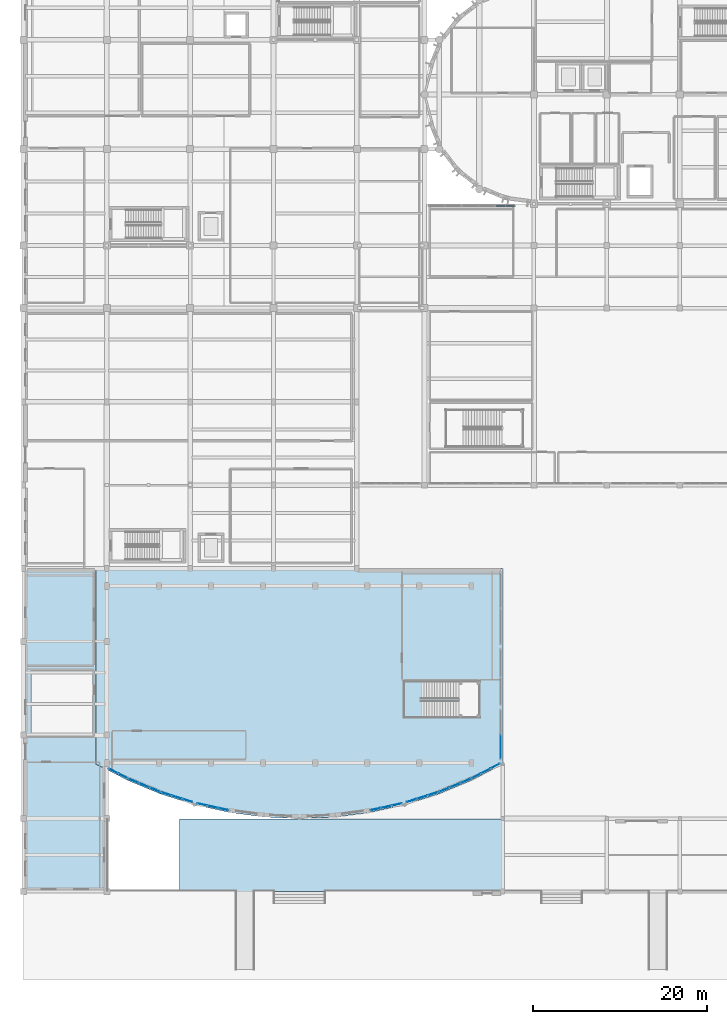
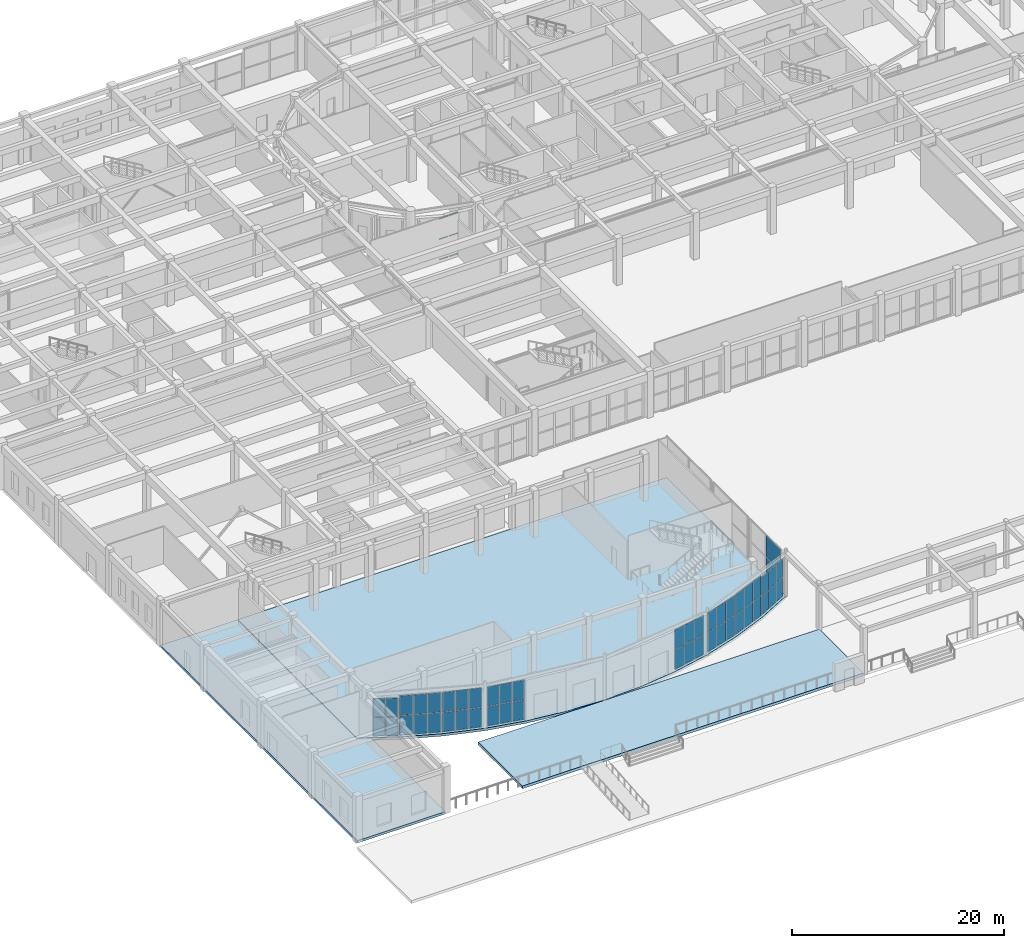
# One storey, part 58 of 98: 48 plates, 6 members, 3 slabs, 10 elements without a shape of their own.
"""IFC4 building model written with IfcOpenShell, lengths in metres."""

from ifc_helpers import new_model, si_unit, direction, frame, origin, origin_2d, place, context, subcontext, project, spatial, polyline, rectangle, hollow_rectangle, outline, extrude, material, layer, layer_set, material_profile, profile_set, type_object, element, aggregate, save


model = new_model("IFC4")

# Units and contexts
model_context = context("Model", 3, precision=1e-05, world=origin(), true_north=direction((0.0, 1.0)))
body_context = subcontext(model_context, "Body", "Model", "MODEL_VIEW")
ifc_project = project(units=[si_unit("LENGTHUNIT", "METRE"), si_unit("AREAUNIT", "SQUARE_METRE"), si_unit("VOLUMEUNIT", "CUBIC_METRE"), si_unit("PLANEANGLEUNIT", "RADIAN"), si_unit("MASSUNIT", "GRAM", prefix="KILO")], contexts=[model_context])

# Site, building, storey
site_placement = place(None, origin())
site = spatial("IfcSite", under=ifc_project, at=site_placement, CompositionType="ELEMENT")
building_placement = place(site_placement, origin())
building = spatial("IfcBuilding", under=site, at=building_placement, Name="Tarnavel Promenade Courthouse", CompositionType="ELEMENT")
storey_placement = place(building_placement, origin())
storey = spatial("IfcBuildingStorey", under=building, at=storey_placement, Name="L01", CompositionType="ELEMENT", Elevation=0.0)

# Curtain wall, members
ifc_material_1 = material(Name="Thermally Broken Anodised Aluminium Curtain Wall System", Category="aluminium")
ifc_layer_1 = layer(ifc_material_1, 0.2099609375)
ifc_layer_set_1 = layer_set([ifc_layer_1], Name="Thermally Broken Anodised Aluminium Curtain Wall System")
curtain_wall_type_1 = type_object("IfcCurtainWallType", Name="Thermally Broken Aluminium Triple-Glazed Curtain Wall CW-WG-N", PredefinedType="NOTDEFINED", material=ifc_layer_set_1)
curtain_wall_1_placement = place(storey_placement, origin())
curtain_wall_1 = element("IfcCurtainWall", 1, at=curtain_wall_1_placement, inside=storey, type_object=curtain_wall_type_1, Name="L01 Winter-Garden North Curtain Wall 104", PredefinedType="NOTDEFINED")
ifc_material_2 = material(Name="Thermally Broken Anodised Aluminium Frame", Category="aluminium")
ifc_material_profile = material_profile(ifc_material_2, hollow_rectangle(XDim=0.070068359375, YDim=0.139892578125, WallThickness=0.0048828125, InnerFilletRadius=0.0048828125, OuterFilletRadius=0.010009765625, at=origin_2d()), Name="CWT 140x70x5")
ifc_profile_set = profile_set([ifc_material_profile], Name="Thermally Broken Anodised Aluminium Frame")
member_type = type_object("IfcMemberType", Name="Thermally Broken Anodised Aluminium CWT-125 (CWT 140x70x5)", PredefinedType="USERDEFINED", material=ifc_profile_set)
member_1_placement = place(storey_placement, frame((54.47998046875, 78.949951171875, 0.034912109375), z_axis=(1.0, 0.0, 0.0), x_axis=(0.0, 1.0, 0.0)))
member_1 = element("IfcMember", 2, at=member_1_placement, type_object=member_type, Name="CW-03 transom 1.1", ObjectType="TRANSOM", PredefinedType="USERDEFINED", context=body_context, shape_type="SweptSolid", body=[
    extrude(hollow_rectangle(XDim=0.070068359375, YDim=0.139892578125, WallThickness=0.0048828125, InnerFilletRadius=0.0048828125, OuterFilletRadius=0.010009765625, at=origin_2d()), origin(), (0.0, 0.0, 1.0), 0.97998046875),
])
member_2_placement = place(storey_placement, frame((54.47998046875, 78.949951171875, 2.385009765625), z_axis=(1.0, 0.0, 0.0), x_axis=(0.0, 1.0, 0.0)))
member_2 = element("IfcMember", 3, at=member_2_placement, type_object=member_type, Name="CW-03 transom 1.2", ObjectType="TRANSOM", PredefinedType="USERDEFINED", context=body_context, shape_type="SweptSolid", body=[
    extrude(hollow_rectangle(XDim=0.070068359375, YDim=0.139892578125, WallThickness=0.0048828125, InnerFilletRadius=0.0048828125, OuterFilletRadius=0.010009765625, at=origin_2d()), origin(), (0.0, 0.0, 1.0), 0.97998046875),
])
member_3_placement = place(storey_placement, frame((54.47998046875, 78.949951171875, 4.735107421875), z_axis=(1.0, 0.0, 0.0), x_axis=(0.0, 1.0, 0.0)))
member_3 = element("IfcMember", 4, at=member_3_placement, type_object=member_type, Name="CW-03 transom 1.3", ObjectType="TRANSOM", PredefinedType="USERDEFINED", context=body_context, shape_type="SweptSolid", body=[
    extrude(hollow_rectangle(XDim=0.070068359375, YDim=0.139892578125, WallThickness=0.0048828125, InnerFilletRadius=0.0048828125, OuterFilletRadius=0.010009765625, at=origin_2d()), origin(), (0.0, 0.0, 1.0), 0.97998046875),
])
member_4_placement = place(storey_placement, frame((55.5400390625, 78.949951171875, 0.034912109375), z_axis=(1.0, 0.0, 0.0), x_axis=(0.0, 1.0, 0.0)))
member_4 = element("IfcMember", 5, at=member_4_placement, type_object=member_type, Name="CW-03 transom 2.1", ObjectType="TRANSOM", PredefinedType="USERDEFINED", context=body_context, shape_type="SweptSolid", body=[
    extrude(hollow_rectangle(XDim=0.070068359375, YDim=0.139892578125, WallThickness=0.0048828125, InnerFilletRadius=0.0048828125, OuterFilletRadius=0.010009765625, at=origin_2d()), origin(), (0.0, 0.0, 1.0), 0.97998046875),
])
member_5_placement = place(storey_placement, frame((55.5400390625, 78.949951171875, 2.385009765625), z_axis=(1.0, 0.0, 0.0), x_axis=(0.0, 1.0, 0.0)))
member_5 = element("IfcMember", 6, at=member_5_placement, type_object=member_type, Name="CW-03 transom 2.2", ObjectType="TRANSOM", PredefinedType="USERDEFINED", context=body_context, shape_type="SweptSolid", body=[
    extrude(hollow_rectangle(XDim=0.070068359375, YDim=0.139892578125, WallThickness=0.0048828125, InnerFilletRadius=0.0048828125, OuterFilletRadius=0.010009765625, at=origin_2d()), origin(), (0.0, 0.0, 1.0), 0.97998046875),
])
member_6_placement = place(storey_placement, frame((55.5400390625, 78.949951171875, 4.735107421875), z_axis=(1.0, 0.0, 0.0), x_axis=(0.0, 1.0, 0.0)))
member_6 = element("IfcMember", 7, at=member_6_placement, type_object=member_type, Name="CW-03 transom 2.3", ObjectType="TRANSOM", PredefinedType="USERDEFINED", context=body_context, shape_type="SweptSolid", body=[
    extrude(hollow_rectangle(XDim=0.070068359375, YDim=0.139892578125, WallThickness=0.0048828125, InnerFilletRadius=0.0048828125, OuterFilletRadius=0.010009765625, at=origin_2d()), origin(), (0.0, 0.0, 1.0), 0.97998046875),
])
aggregate(curtain_wall_1, [member_1, member_2, member_3, member_4, member_5, member_6])

# Slabs
ifc_material_3 = material(Name="Concrete C35/45", Category="concrete")
ifc_layer_2 = layer(ifc_material_3, 0.320068359375)
ifc_layer_set_2 = layer_set([ifc_layer_2], Name="Concrete C35/45")
slab_type_1 = type_object("IfcSlabType", Name="Concrete C35/45 SLB-COL-320 (320 mm)", PredefinedType="FLOOR", material=ifc_layer_set_2)
slab_1_placement = place(storey_placement, frame((0.0, 0.0, -0.320068359375)))
element("IfcSlab", 8, at=slab_1_placement, inside=storey, type_object=slab_type_1, Name="L01 Main Portal Forecourt Plinth Deck", PredefinedType="FLOOR", context=body_context, shape_type="SweptSolid", body=[
    extrude(outline(polyline([(18.0, 0.0), (55.179931640625, 0.0), (55.179931640625, 8.360107421875), (18.0, 8.360107421875), (18.0, 0.0)])), origin(), (0.0, 0.0, 1.0), 0.320068359375),
])
ifc_layer_3 = layer(ifc_material_3, 0.280029296875)
ifc_layer_set_3 = layer_set([ifc_layer_3], Name="Concrete C35/45")
slab_type_2 = type_object("IfcSlabType", Name="Concrete C35/45 SLB-L01-280 (280 mm)", PredefinedType="FLOOR", material=ifc_layer_set_3)
slab_2_placement = place(storey_placement, frame((0.0, 0.0, -0.280029296875)))
element("IfcSlab", 9, at=slab_2_placement, inside=storey, type_object=slab_type_2, Name="L01 Portal Pavilion Floor Slab", PredefinedType="FLOOR", context=body_context, shape_type="SweptSolid", body=[
    extrude(outline(polyline([(9.60009765625, 0.0), (0.0, 0.0), (0.0, 37.179931640625), (8.360107421875, 37.179931640625), (8.360107421875, 14.6201171875), (8.43115234375, 14.6201171875), (9.60009765625, 14.011474609375), (9.60009765625, 0.0)])), origin(), (0.0, 0.0, 1.0), 0.280029296875),
])
slab_3_placement = place(storey_placement, frame((0.0, 0.0, -0.280029296875)))
element("IfcSlab", 10, at=slab_3_placement, inside=storey, type_object=slab_type_2, Name="L01 Curved Public Hall Drum Slab", PredefinedType="FLOOR", context=body_context, shape_type="SweptSolid", body=[
    extrude(outline(polyline([(8.39990234375, 14.669921875), (12.021484375, 12.784912109375), (15.79345703125, 11.222412109375), (19.687255859375, 9.99462890625), (23.67333984375, 9.111083984375), (27.72119140625, 8.578125), (31.800048828125, 8.39990234375), (35.87890625, 8.578125), (39.9267578125, 9.111083984375), (43.912841796875, 9.99462890625), (47.806640625, 11.222412109375), (51.57861328125, 12.784912109375), (55.199951171875, 14.669921875), (55.199951171875, 37.199951171875), (8.39990234375, 37.199951171875), (8.39990234375, 14.669921875)])), origin(), (0.0, 0.0, 1.0), 0.280029296875),
])

# Curtain wall, plates
ifc_layer_4 = layer(ifc_material_1, 0.219970703125)
ifc_layer_set_4 = layer_set([ifc_layer_4], Name="Thermally Broken Anodised Aluminium Curtain Wall System")
curtain_wall_type_2 = type_object("IfcCurtainWallType", Name="Thermally Broken Aluminium Triple-Glazed Curtain Wall CW-DRUM", PredefinedType="NOTDEFINED", material=ifc_layer_set_4)
curtain_wall_2_placement = place(storey_placement, origin())
curtain_wall_2 = element("IfcCurtainWall", 11, at=curtain_wall_2_placement, inside=storey, type_object=curtain_wall_type_2, Name="L01 Public Hall Drum Curtain Wall 001", PredefinedType="NOTDEFINED")
ifc_material_4 = material(Name="Triple Low-E Argon Insulated Glazing", Category="glass")
ifc_layer_5 = layer(ifc_material_4, 0.048095703125)
ifc_layer_set_5 = layer_set([ifc_layer_5], Name="Triple Low-E Argon Insulated Glazing")
plate_type = type_object("IfcPlateType", Name="Triple Low-E Argon Insulated Glazing Unit CWP-48 (48 mm)", PredefinedType="CURTAIN_PANEL", material=ifc_layer_set_5)
plate_1_placement = place(storey_placement, frame((10.3603515625, 13.869384765625, 0.080078125), z_axis=(0.0, 0.0, 1.0), x_axis=(0.887011112746, -0.46174807619, 0.0)))
plate_1 = element("IfcPlate", 12, at=plate_1_placement, type_object=plate_type, Name="CW-01 panel 1.1", PredefinedType="CURTAIN_PANEL", context=body_context, shape_type="SweptSolid", body=[
    extrude(rectangle(XDim=1.12841796875, YDim=0.048095703125, at=origin_2d()), origin(), (0.0, 0.0, 1.0), 2.094970703125),
])
plate_2_placement = place(storey_placement, frame((10.3603515625, 13.869384765625, 2.2548828125), z_axis=(0.0, 0.0, 1.0), x_axis=(0.887011112746, -0.46174807619, 0.0)))
plate_2 = element("IfcPlate", 13, at=plate_2_placement, type_object=plate_type, Name="CW-01 panel 1.2", PredefinedType="CURTAIN_PANEL", context=body_context, shape_type="SweptSolid", body=[
    extrude(rectangle(XDim=1.12841796875, YDim=0.048095703125, at=origin_2d()), origin(), (0.0, 0.0, 1.0), 2.094970703125),
])
plate_3_placement = place(storey_placement, frame((11.441162109375, 13.306884765625, 0.080078125), z_axis=(0.0, 0.0, 1.0), x_axis=(0.887011112746, -0.46174807619, 0.0)))
plate_3 = element("IfcPlate", 14, at=plate_3_placement, type_object=plate_type, Name="CW-01 panel 2.1", PredefinedType="CURTAIN_PANEL", context=body_context, shape_type="SweptSolid", body=[
    extrude(rectangle(XDim=1.12841796875, YDim=0.048095703125, at=origin_2d()), origin(), (0.0, 0.0, 1.0), 2.094970703125),
])
plate_4_placement = place(storey_placement, frame((11.441162109375, 13.306884765625, 2.2548828125), z_axis=(0.0, 0.0, 1.0), x_axis=(0.887011112746, -0.46174807619, 0.0)))
plate_4 = element("IfcPlate", 15, at=plate_4_placement, type_object=plate_type, Name="CW-01 panel 2.2", PredefinedType="CURTAIN_PANEL", context=body_context, shape_type="SweptSolid", body=[
    extrude(rectangle(XDim=1.12841796875, YDim=0.048095703125, at=origin_2d()), origin(), (0.0, 0.0, 1.0), 2.094970703125),
])
aggregate(curtain_wall_2, [plate_1, plate_2, plate_3, plate_4])

curtain_wall_3_placement = place(storey_placement, origin())
curtain_wall_3 = element("IfcCurtainWall", 16, at=curtain_wall_3_placement, inside=storey, type_object=curtain_wall_type_2, Name="L01 Public Hall Drum Curtain Wall 002", PredefinedType="NOTDEFINED")
plate_5_placement = place(storey_placement, frame((12.6708984375, 12.73583984375, 0.080078125), z_axis=(0.0, 0.0, 1.0), x_axis=(0.923878974593, -0.382684779296, 0.0)))
plate_5 = element("IfcPlate", 17, at=plate_5_placement, type_object=plate_type, Name="CW-01 panel 1.1", PredefinedType="CURTAIN_PANEL", context=body_context, shape_type="SweptSolid", body=[
    extrude(rectangle(XDim=1.225830078125, YDim=0.048095703125, at=origin_2d()), origin(), (0.0, 0.0, 1.0), 2.219970703125),
])
plate_6_placement = place(storey_placement, frame((12.6708984375, 12.73583984375, 2.3798828125), z_axis=(0.0, 0.0, 1.0), x_axis=(0.923878974593, -0.382684779296, 0.0)))
plate_6 = element("IfcPlate", 18, at=plate_6_placement, type_object=plate_type, Name="CW-01 panel 1.2", PredefinedType="CURTAIN_PANEL", context=body_context, shape_type="SweptSolid", body=[
    extrude(rectangle(XDim=1.225830078125, YDim=0.048095703125, at=origin_2d()), origin(), (0.0, 0.0, 1.0), 2.219970703125),
])
plate_7_placement = place(storey_placement, frame((13.907470703125, 12.2236328125, 0.080078125), z_axis=(0.0, 0.0, 1.0), x_axis=(0.923878974593, -0.382684779296, 0.0)))
plate_7 = element("IfcPlate", 19, at=plate_7_placement, type_object=plate_type, Name="CW-01 panel 2.1", PredefinedType="CURTAIN_PANEL", context=body_context, shape_type="SweptSolid", body=[
    extrude(rectangle(XDim=1.27099609375, YDim=0.048095703125, at=origin_2d()), origin(), (0.0, 0.0, 1.0), 2.219970703125),
])
plate_8_placement = place(storey_placement, frame((13.907470703125, 12.2236328125, 2.3798828125), z_axis=(0.0, 0.0, 1.0), x_axis=(0.923878974593, -0.382684779296, 0.0)))
plate_8 = element("IfcPlate", 20, at=plate_8_placement, type_object=plate_type, Name="CW-01 panel 2.2", PredefinedType="CURTAIN_PANEL", context=body_context, shape_type="SweptSolid", body=[
    extrude(rectangle(XDim=1.27099609375, YDim=0.048095703125, at=origin_2d()), origin(), (0.0, 0.0, 1.0), 2.219970703125),
])
plate_9_placement = place(storey_placement, frame((15.14404296875, 11.71142578125, 0.080078125), z_axis=(0.0, 0.0, 1.0), x_axis=(0.923878974593, -0.382684779296, 0.0)))
plate_9 = element("IfcPlate", 21, at=plate_9_placement, type_object=plate_type, Name="CW-01 panel 3.1", PredefinedType="CURTAIN_PANEL", context=body_context, shape_type="SweptSolid", body=[
    extrude(rectangle(XDim=1.225830078125, YDim=0.048095703125, at=origin_2d()), origin(), (0.0, 0.0, 1.0), 2.219970703125),
])
plate_10_placement = place(storey_placement, frame((15.14404296875, 11.71142578125, 2.3798828125), z_axis=(0.0, 0.0, 1.0), x_axis=(0.923878974593, -0.382684779296, 0.0)))
plate_10 = element("IfcPlate", 22, at=plate_10_placement, type_object=plate_type, Name="CW-01 panel 3.2", PredefinedType="CURTAIN_PANEL", context=body_context, shape_type="SweptSolid", body=[
    extrude(rectangle(XDim=1.225830078125, YDim=0.048095703125, at=origin_2d()), origin(), (0.0, 0.0, 1.0), 2.219970703125),
])
aggregate(curtain_wall_3, [plate_5, plate_6, plate_7, plate_8, plate_9, plate_10])

curtain_wall_4_placement = place(storey_placement, origin())
curtain_wall_4 = element("IfcCurtainWall", 23, at=curtain_wall_4_placement, inside=storey, type_object=curtain_wall_type_2, Name="L01 Public Hall Drum Curtain Wall 003", PredefinedType="NOTDEFINED")
plate_11_placement = place(storey_placement, frame((16.440673828125, 11.23828125, 0.080078125), z_axis=(0.0, 0.0, 1.0), x_axis=(0.953717503383, -0.300704046766, 0.0)))
plate_11 = element("IfcPlate", 24, at=plate_11_placement, type_object=plate_type, Name="CW-01 panel 1.1", PredefinedType="CURTAIN_PANEL", context=body_context, shape_type="SweptSolid", body=[
    extrude(rectangle(XDim=1.17724609375, YDim=0.048095703125, at=origin_2d()), origin(), (0.0, 0.0, 1.0), 2.219970703125),
])
plate_12_placement = place(storey_placement, frame((16.440673828125, 11.23828125, 2.3798828125), z_axis=(0.0, 0.0, 1.0), x_axis=(0.953717503383, -0.300704046766, 0.0)))
plate_12 = element("IfcPlate", 25, at=plate_12_placement, type_object=plate_type, Name="CW-01 panel 1.2", PredefinedType="CURTAIN_PANEL", context=body_context, shape_type="SweptSolid", body=[
    extrude(rectangle(XDim=1.17724609375, YDim=0.048095703125, at=origin_2d()), origin(), (0.0, 0.0, 1.0), 2.219970703125),
])
plate_13_placement = place(storey_placement, frame((17.6708984375, 10.850341796875, 0.080078125), z_axis=(0.0, 0.0, 1.0), x_axis=(0.953717503383, -0.300704046766, 0.0)))
plate_13 = element("IfcPlate", 26, at=plate_13_placement, type_object=plate_type, Name="CW-01 panel 2.1", PredefinedType="CURTAIN_PANEL", context=body_context, shape_type="SweptSolid", body=[
    extrude(rectangle(XDim=1.222412109375, YDim=0.048095703125, at=origin_2d()), origin(), (0.0, 0.0, 1.0), 2.219970703125),
])
plate_14_placement = place(storey_placement, frame((17.6708984375, 10.850341796875, 2.3798828125), z_axis=(0.0, 0.0, 1.0), x_axis=(0.953717503383, -0.300704046766, 0.0)))
plate_14 = element("IfcPlate", 27, at=plate_14_placement, type_object=plate_type, Name="CW-01 panel 2.2", PredefinedType="CURTAIN_PANEL", context=body_context, shape_type="SweptSolid", body=[
    extrude(rectangle(XDim=1.222412109375, YDim=0.048095703125, at=origin_2d()), origin(), (0.0, 0.0, 1.0), 2.219970703125),
])
plate_15_placement = place(storey_placement, frame((18.90087890625, 10.462646484375, 0.080078125), z_axis=(0.0, 0.0, 1.0), x_axis=(0.953717503383, -0.300704046766, 0.0)))
plate_15 = element("IfcPlate", 28, at=plate_15_placement, type_object=plate_type, Name="CW-01 panel 3.1", PredefinedType="CURTAIN_PANEL", context=body_context, shape_type="SweptSolid", body=[
    extrude(rectangle(XDim=1.17724609375, YDim=0.048095703125, at=origin_2d()), origin(), (0.0, 0.0, 1.0), 2.219970703125),
])
plate_16_placement = place(storey_placement, frame((18.90087890625, 10.462646484375, 2.3798828125), z_axis=(0.0, 0.0, 1.0), x_axis=(0.953717503383, -0.300704046766, 0.0)))
plate_16 = element("IfcPlate", 29, at=plate_16_placement, type_object=plate_type, Name="CW-01 panel 3.2", PredefinedType="CURTAIN_PANEL", context=body_context, shape_type="SweptSolid", body=[
    extrude(rectangle(XDim=1.17724609375, YDim=0.048095703125, at=origin_2d()), origin(), (0.0, 0.0, 1.0), 2.219970703125),
])
aggregate(curtain_wall_4, [plate_11, plate_12, plate_13, plate_14, plate_15, plate_16])

curtain_wall_5_placement = place(storey_placement, origin())
curtain_wall_5 = element("IfcCurtainWall", 30, at=curtain_wall_5_placement, inside=storey, type_object=curtain_wall_type_2, Name="L01 Public Hall Drum Curtain Wall 004", PredefinedType="NOTDEFINED")
plate_17_placement = place(storey_placement, frame((20.584716796875, 10.015625, 0.080078125), z_axis=(0.0, 0.0, 1.0), x_axis=(0.976295931398, -0.216439955496, 0.0)))
plate_17 = element("IfcPlate", 31, at=plate_17_placement, type_object=plate_type, Name="CW-01 panel 1.1", PredefinedType="CURTAIN_PANEL", context=body_context, shape_type="SweptSolid", body=[
    extrude(rectangle(XDim=1.139404296875, YDim=0.048095703125, at=origin_2d()), origin(), (0.0, 0.0, 1.0), 2.219970703125),
])
plate_18_placement = place(storey_placement, frame((20.584716796875, 10.015625, 2.3798828125), z_axis=(0.0, 0.0, 1.0), x_axis=(0.976295931398, -0.216439955496, 0.0)))
plate_18 = element("IfcPlate", 32, at=plate_18_placement, type_object=plate_type, Name="CW-01 panel 1.2", PredefinedType="CURTAIN_PANEL", context=body_context, shape_type="SweptSolid", body=[
    extrude(rectangle(XDim=1.139404296875, YDim=0.048095703125, at=origin_2d()), origin(), (0.0, 0.0, 1.0), 2.219970703125),
])
plate_19_placement = place(storey_placement, frame((21.806884765625, 9.74462890625, 0.080078125), z_axis=(0.0, 0.0, 1.0), x_axis=(0.976295931398, -0.216439955496, 0.0)))
plate_19 = element("IfcPlate", 33, at=plate_19_placement, type_object=plate_type, Name="CW-01 panel 2.1", PredefinedType="CURTAIN_PANEL", context=body_context, shape_type="SweptSolid", body=[
    extrude(rectangle(XDim=1.184326171875, YDim=0.048095703125, at=origin_2d()), origin(), (0.0, 0.0, 1.0), 2.219970703125),
])
plate_20_placement = place(storey_placement, frame((21.806884765625, 9.74462890625, 2.3798828125), z_axis=(0.0, 0.0, 1.0), x_axis=(0.976295931398, -0.216439955496, 0.0)))
plate_20 = element("IfcPlate", 34, at=plate_20_placement, type_object=plate_type, Name="CW-01 panel 2.2", PredefinedType="CURTAIN_PANEL", context=body_context, shape_type="SweptSolid", body=[
    extrude(rectangle(XDim=1.184326171875, YDim=0.048095703125, at=origin_2d()), origin(), (0.0, 0.0, 1.0), 2.219970703125),
])
plate_21_placement = place(storey_placement, frame((23.029296875, 9.473876953125, 0.080078125), z_axis=(0.0, 0.0, 1.0), x_axis=(0.976295931398, -0.216439955496, 0.0)))
plate_21 = element("IfcPlate", 35, at=plate_21_placement, type_object=plate_type, Name="CW-01 panel 3.1", PredefinedType="CURTAIN_PANEL", context=body_context, shape_type="SweptSolid", body=[
    extrude(rectangle(XDim=1.139404296875, YDim=0.048095703125, at=origin_2d()), origin(), (0.0, 0.0, 1.0), 2.219970703125),
])
plate_22_placement = place(storey_placement, frame((23.029296875, 9.473876953125, 2.3798828125), z_axis=(0.0, 0.0, 1.0), x_axis=(0.976295931398, -0.216439955496, 0.0)))
plate_22 = element("IfcPlate", 36, at=plate_22_placement, type_object=plate_type, Name="CW-01 panel 3.2", PredefinedType="CURTAIN_PANEL", context=body_context, shape_type="SweptSolid", body=[
    extrude(rectangle(XDim=1.139404296875, YDim=0.048095703125, at=origin_2d()), origin(), (0.0, 0.0, 1.0), 2.219970703125),
])
aggregate(curtain_wall_5, [plate_17, plate_18, plate_19, plate_20, plate_21, plate_22])

curtain_wall_6_placement = place(storey_placement, origin())
curtain_wall_6 = element("IfcCurtainWall", 37, at=curtain_wall_6_placement, inside=storey, type_object=curtain_wall_type_2, Name="L01 Public Hall Drum Curtain Wall 005", PredefinedType="NOTDEFINED")
plate_23_placement = place(storey_placement, frame((40.57080078125, 9.473876953125, 0.080078125), z_axis=(0.0, 0.0, 1.0), x_axis=(0.976295808868, 0.216440508192, 0.0)))
plate_23 = element("IfcPlate", 38, at=plate_23_placement, type_object=plate_type, Name="CW-01 panel 1.1", PredefinedType="CURTAIN_PANEL", context=body_context, shape_type="SweptSolid", body=[
    extrude(rectangle(XDim=1.139404296875, YDim=0.048095703125, at=origin_2d()), origin(), (0.0, 0.0, 1.0), 2.219970703125),
])
plate_24_placement = place(storey_placement, frame((40.57080078125, 9.473876953125, 2.3798828125), z_axis=(0.0, 0.0, 1.0), x_axis=(0.976295808868, 0.216440508192, 0.0)))
plate_24 = element("IfcPlate", 39, at=plate_24_placement, type_object=plate_type, Name="CW-01 panel 1.2", PredefinedType="CURTAIN_PANEL", context=body_context, shape_type="SweptSolid", body=[
    extrude(rectangle(XDim=1.139404296875, YDim=0.048095703125, at=origin_2d()), origin(), (0.0, 0.0, 1.0), 2.219970703125),
])
plate_25_placement = place(storey_placement, frame((41.79296875, 9.74462890625, 0.080078125), z_axis=(0.0, 0.0, 1.0), x_axis=(0.976295808868, 0.216440508192, 0.0)))
plate_25 = element("IfcPlate", 40, at=plate_25_placement, type_object=plate_type, Name="CW-01 panel 2.1", PredefinedType="CURTAIN_PANEL", context=body_context, shape_type="SweptSolid", body=[
    extrude(rectangle(XDim=1.184326171875, YDim=0.048095703125, at=origin_2d()), origin(), (0.0, 0.0, 1.0), 2.219970703125),
])
plate_26_placement = place(storey_placement, frame((41.79296875, 9.74462890625, 2.3798828125), z_axis=(0.0, 0.0, 1.0), x_axis=(0.976295808868, 0.216440508192, 0.0)))
plate_26 = element("IfcPlate", 41, at=plate_26_placement, type_object=plate_type, Name="CW-01 panel 2.2", PredefinedType="CURTAIN_PANEL", context=body_context, shape_type="SweptSolid", body=[
    extrude(rectangle(XDim=1.184326171875, YDim=0.048095703125, at=origin_2d()), origin(), (0.0, 0.0, 1.0), 2.219970703125),
])
plate_27_placement = place(storey_placement, frame((43.01513671875, 10.015625, 0.080078125), z_axis=(0.0, 0.0, 1.0), x_axis=(0.976295808868, 0.216440508192, 0.0)))
plate_27 = element("IfcPlate", 42, at=plate_27_placement, type_object=plate_type, Name="CW-01 panel 3.1", PredefinedType="CURTAIN_PANEL", context=body_context, shape_type="SweptSolid", body=[
    extrude(rectangle(XDim=1.139404296875, YDim=0.048095703125, at=origin_2d()), origin(), (0.0, 0.0, 1.0), 2.219970703125),
])
plate_28_placement = place(storey_placement, frame((43.01513671875, 10.015625, 2.3798828125), z_axis=(0.0, 0.0, 1.0), x_axis=(0.976295808868, 0.216440508192, 0.0)))
plate_28 = element("IfcPlate", 43, at=plate_28_placement, type_object=plate_type, Name="CW-01 panel 3.2", PredefinedType="CURTAIN_PANEL", context=body_context, shape_type="SweptSolid", body=[
    extrude(rectangle(XDim=1.139404296875, YDim=0.048095703125, at=origin_2d()), origin(), (0.0, 0.0, 1.0), 2.219970703125),
])
aggregate(curtain_wall_6, [plate_23, plate_24, plate_25, plate_26, plate_27, plate_28])

curtain_wall_7_placement = place(storey_placement, origin())
curtain_wall_7 = element("IfcCurtainWall", 44, at=curtain_wall_7_placement, inside=storey, type_object=curtain_wall_type_2, Name="L01 Public Hall Drum Curtain Wall 006", PredefinedType="NOTDEFINED")
plate_29_placement = place(storey_placement, frame((44.698974609375, 10.462646484375, 0.080078125), z_axis=(0.0, 0.0, 1.0), x_axis=(0.953717503383, 0.300704046766, 0.0)))
plate_29 = element("IfcPlate", 45, at=plate_29_placement, type_object=plate_type, Name="CW-01 panel 1.1", PredefinedType="CURTAIN_PANEL", context=body_context, shape_type="SweptSolid", body=[
    extrude(rectangle(XDim=1.17724609375, YDim=0.048095703125, at=origin_2d()), origin(), (0.0, 0.0, 1.0), 2.219970703125),
])
plate_30_placement = place(storey_placement, frame((44.698974609375, 10.462646484375, 2.3798828125), z_axis=(0.0, 0.0, 1.0), x_axis=(0.953717503383, 0.300704046766, 0.0)))
plate_30 = element("IfcPlate", 46, at=plate_30_placement, type_object=plate_type, Name="CW-01 panel 1.2", PredefinedType="CURTAIN_PANEL", context=body_context, shape_type="SweptSolid", body=[
    extrude(rectangle(XDim=1.17724609375, YDim=0.048095703125, at=origin_2d()), origin(), (0.0, 0.0, 1.0), 2.219970703125),
])
plate_31_placement = place(storey_placement, frame((45.92919921875, 10.850341796875, 0.080078125), z_axis=(0.0, 0.0, 1.0), x_axis=(0.953717503383, 0.300704046766, 0.0)))
plate_31 = element("IfcPlate", 47, at=plate_31_placement, type_object=plate_type, Name="CW-01 panel 2.1", PredefinedType="CURTAIN_PANEL", context=body_context, shape_type="SweptSolid", body=[
    extrude(rectangle(XDim=1.222412109375, YDim=0.048095703125, at=origin_2d()), origin(), (0.0, 0.0, 1.0), 2.219970703125),
])
plate_32_placement = place(storey_placement, frame((45.92919921875, 10.850341796875, 2.3798828125), z_axis=(0.0, 0.0, 1.0), x_axis=(0.953717503383, 0.300704046766, 0.0)))
plate_32 = element("IfcPlate", 48, at=plate_32_placement, type_object=plate_type, Name="CW-01 panel 2.2", PredefinedType="CURTAIN_PANEL", context=body_context, shape_type="SweptSolid", body=[
    extrude(rectangle(XDim=1.222412109375, YDim=0.048095703125, at=origin_2d()), origin(), (0.0, 0.0, 1.0), 2.219970703125),
])
plate_33_placement = place(storey_placement, frame((47.1591796875, 11.23828125, 0.080078125), z_axis=(0.0, 0.0, 1.0), x_axis=(0.953717503383, 0.300704046766, 0.0)))
plate_33 = element("IfcPlate", 49, at=plate_33_placement, type_object=plate_type, Name="CW-01 panel 3.1", PredefinedType="CURTAIN_PANEL", context=body_context, shape_type="SweptSolid", body=[
    extrude(rectangle(XDim=1.17724609375, YDim=0.048095703125, at=origin_2d()), origin(), (0.0, 0.0, 1.0), 2.219970703125),
])
plate_34_placement = place(storey_placement, frame((47.1591796875, 11.23828125, 2.3798828125), z_axis=(0.0, 0.0, 1.0), x_axis=(0.953717503383, 0.300704046766, 0.0)))
plate_34 = element("IfcPlate", 50, at=plate_34_placement, type_object=plate_type, Name="CW-01 panel 3.2", PredefinedType="CURTAIN_PANEL", context=body_context, shape_type="SweptSolid", body=[
    extrude(rectangle(XDim=1.17724609375, YDim=0.048095703125, at=origin_2d()), origin(), (0.0, 0.0, 1.0), 2.219970703125),
])
aggregate(curtain_wall_7, [plate_29, plate_30, plate_31, plate_32, plate_33, plate_34])

curtain_wall_8_placement = place(storey_placement, origin())
curtain_wall_8 = element("IfcCurtainWall", 51, at=curtain_wall_8_placement, inside=storey, type_object=curtain_wall_type_2, Name="L01 Public Hall Drum Curtain Wall 007", PredefinedType="NOTDEFINED")
plate_35_placement = place(storey_placement, frame((48.4560546875, 11.71142578125, 0.080078125), z_axis=(0.0, 0.0, 1.0), x_axis=(0.923878974593, 0.382684779296, 0.0)))
plate_35 = element("IfcPlate", 52, at=plate_35_placement, type_object=plate_type, Name="CW-01 panel 1.1", PredefinedType="CURTAIN_PANEL", context=body_context, shape_type="SweptSolid", body=[
    extrude(rectangle(XDim=1.225830078125, YDim=0.048095703125, at=origin_2d()), origin(), (0.0, 0.0, 1.0), 2.239990234375),
])
plate_36_placement = place(storey_placement, frame((48.4560546875, 11.71142578125, 2.39990234375), z_axis=(0.0, 0.0, 1.0), x_axis=(0.923878974593, 0.382684779296, 0.0)))
plate_36 = element("IfcPlate", 53, at=plate_36_placement, type_object=plate_type, Name="CW-01 panel 1.2", PredefinedType="CURTAIN_PANEL", context=body_context, shape_type="SweptSolid", body=[
    extrude(rectangle(XDim=1.225830078125, YDim=0.048095703125, at=origin_2d()), origin(), (0.0, 0.0, 1.0), 2.239990234375),
])
plate_37_placement = place(storey_placement, frame((49.692626953125, 12.2236328125, 0.080078125), z_axis=(0.0, 0.0, 1.0), x_axis=(0.923878974593, 0.382684779296, 0.0)))
plate_37 = element("IfcPlate", 54, at=plate_37_placement, type_object=plate_type, Name="CW-01 panel 2.1", PredefinedType="CURTAIN_PANEL", context=body_context, shape_type="SweptSolid", body=[
    extrude(rectangle(XDim=1.27099609375, YDim=0.048095703125, at=origin_2d()), origin(), (0.0, 0.0, 1.0), 2.239990234375),
])
plate_38_placement = place(storey_placement, frame((49.692626953125, 12.2236328125, 2.39990234375), z_axis=(0.0, 0.0, 1.0), x_axis=(0.923878974593, 0.382684779296, 0.0)))
plate_38 = element("IfcPlate", 55, at=plate_38_placement, type_object=plate_type, Name="CW-01 panel 2.2", PredefinedType="CURTAIN_PANEL", context=body_context, shape_type="SweptSolid", body=[
    extrude(rectangle(XDim=1.27099609375, YDim=0.048095703125, at=origin_2d()), origin(), (0.0, 0.0, 1.0), 2.239990234375),
])
plate_39_placement = place(storey_placement, frame((50.92919921875, 12.73583984375, 0.080078125), z_axis=(0.0, 0.0, 1.0), x_axis=(0.923878974593, 0.382684779296, 0.0)))
plate_39 = element("IfcPlate", 56, at=plate_39_placement, type_object=plate_type, Name="CW-01 panel 3.1", PredefinedType="CURTAIN_PANEL", context=body_context, shape_type="SweptSolid", body=[
    extrude(rectangle(XDim=1.225830078125, YDim=0.048095703125, at=origin_2d()), origin(), (0.0, 0.0, 1.0), 2.239990234375),
])
plate_40_placement = place(storey_placement, frame((50.92919921875, 12.73583984375, 2.39990234375), z_axis=(0.0, 0.0, 1.0), x_axis=(0.923878974593, 0.382684779296, 0.0)))
plate_40 = element("IfcPlate", 57, at=plate_40_placement, type_object=plate_type, Name="CW-01 panel 3.2", PredefinedType="CURTAIN_PANEL", context=body_context, shape_type="SweptSolid", body=[
    extrude(rectangle(XDim=1.225830078125, YDim=0.048095703125, at=origin_2d()), origin(), (0.0, 0.0, 1.0), 2.239990234375),
])
aggregate(curtain_wall_8, [plate_35, plate_36, plate_37, plate_38, plate_39, plate_40])

curtain_wall_9_placement = place(storey_placement, origin())
curtain_wall_9 = element("IfcCurtainWall", 58, at=curtain_wall_9_placement, inside=storey, type_object=curtain_wall_type_2, Name="L01 Public Hall Drum Curtain Wall 008", PredefinedType="NOTDEFINED")
plate_41_placement = place(storey_placement, frame((52.15576171875, 13.30517578125, 0.080078125), z_axis=(0.0, 0.0, 1.0), x_axis=(0.887011686016, 0.461746974945, 0.0)))
plate_41 = element("IfcPlate", 59, at=plate_41_placement, type_object=plate_type, Name="CW-01 panel 1.1", PredefinedType="CURTAIN_PANEL", context=body_context, shape_type="SweptSolid", body=[
    extrude(rectangle(XDim=1.121337890625, YDim=0.048095703125, at=origin_2d()), origin(), (0.0, 0.0, 1.0), 2.114990234375),
])
plate_42_placement = place(storey_placement, frame((52.15576171875, 13.30517578125, 2.27490234375), z_axis=(0.0, 0.0, 1.0), x_axis=(0.887011686016, 0.461746974945, 0.0)))
plate_42 = element("IfcPlate", 60, at=plate_42_placement, type_object=plate_type, Name="CW-01 panel 1.2", PredefinedType="CURTAIN_PANEL", context=body_context, shape_type="SweptSolid", body=[
    extrude(rectangle(XDim=1.121337890625, YDim=0.048095703125, at=origin_2d()), origin(), (0.0, 0.0, 1.0), 2.114990234375),
])
plate_43_placement = place(storey_placement, frame((53.250244140625, 13.875, 0.080078125), z_axis=(0.0, 0.0, 1.0), x_axis=(0.887011686016, 0.461746974945, 0.0)))
plate_43 = element("IfcPlate", 61, at=plate_43_placement, type_object=plate_type, Name="CW-01 panel 2.1", PredefinedType="CURTAIN_PANEL", context=body_context, shape_type="SweptSolid", body=[
    extrude(rectangle(XDim=1.16650390625, YDim=0.048095703125, at=origin_2d()), origin(), (0.0, 0.0, 1.0), 2.114990234375),
])
plate_44_placement = place(storey_placement, frame((53.250244140625, 13.875, 2.27490234375), z_axis=(0.0, 0.0, 1.0), x_axis=(0.887011686016, 0.461746974945, 0.0)))
plate_44 = element("IfcPlate", 62, at=plate_44_placement, type_object=plate_type, Name="CW-01 panel 2.2", PredefinedType="CURTAIN_PANEL", context=body_context, shape_type="SweptSolid", body=[
    extrude(rectangle(XDim=1.16650390625, YDim=0.048095703125, at=origin_2d()), origin(), (0.0, 0.0, 1.0), 2.114990234375),
])
plate_45_placement = place(storey_placement, frame((54.3447265625, 14.44482421875, 0.080078125), z_axis=(0.0, 0.0, 1.0), x_axis=(0.887011686016, 0.461746974945, 0.0)))
plate_45 = element("IfcPlate", 63, at=plate_45_placement, type_object=plate_type, Name="CW-01 panel 3.1", PredefinedType="CURTAIN_PANEL", context=body_context, shape_type="SweptSolid", body=[
    extrude(rectangle(XDim=1.121337890625, YDim=0.048095703125, at=origin_2d()), origin(), (0.0, 0.0, 1.0), 2.114990234375),
])
plate_46_placement = place(storey_placement, frame((54.3447265625, 14.44482421875, 2.27490234375), z_axis=(0.0, 0.0, 1.0), x_axis=(0.887011686016, 0.461746974945, 0.0)))
plate_46 = element("IfcPlate", 64, at=plate_46_placement, type_object=plate_type, Name="CW-01 panel 3.2", PredefinedType="CURTAIN_PANEL", context=body_context, shape_type="SweptSolid", body=[
    extrude(rectangle(XDim=1.121337890625, YDim=0.048095703125, at=origin_2d()), origin(), (0.0, 0.0, 1.0), 2.114990234375),
])
aggregate(curtain_wall_9, [plate_41, plate_42, plate_43, plate_44, plate_45, plate_46])

curtain_wall_10_placement = place(storey_placement, origin())
curtain_wall_10 = element("IfcCurtainWall", 65, at=curtain_wall_10_placement, inside=storey, type_object=curtain_wall_type_2, Name="L01 Public Drum East Return Curtain Wall 009", PredefinedType="NOTDEFINED")
plate_47_placement = place(storey_placement, frame((54.97998046875, 16.64990234375, 0.080078125), z_axis=(0.0, 0.0, 1.0), x_axis=(0.0, 1.0, 0.0)))
plate_47 = element("IfcPlate", 66, at=plate_47_placement, type_object=plate_type, Name="CW-01 panel 1.1", PredefinedType="CURTAIN_PANEL", context=body_context, shape_type="SweptSolid", body=[
    extrude(rectangle(XDim=2.780029296875, YDim=0.048095703125, at=origin_2d()), origin(), (0.0, 0.0, 1.0), 2.43994140625),
])
plate_48_placement = place(storey_placement, frame((54.97998046875, 16.64990234375, 2.60009765625), z_axis=(0.0, 0.0, 1.0), x_axis=(0.0, 1.0, 0.0)))
plate_48 = element("IfcPlate", 67, at=plate_48_placement, type_object=plate_type, Name="CW-01 panel 1.2", PredefinedType="CURTAIN_PANEL", context=body_context, shape_type="SweptSolid", body=[
    extrude(rectangle(XDim=2.780029296875, YDim=0.048095703125, at=origin_2d()), origin(), (0.0, 0.0, 1.0), 2.43994140625),
])
aggregate(curtain_wall_10, [plate_47, plate_48])

save(model, "model.ifc")
